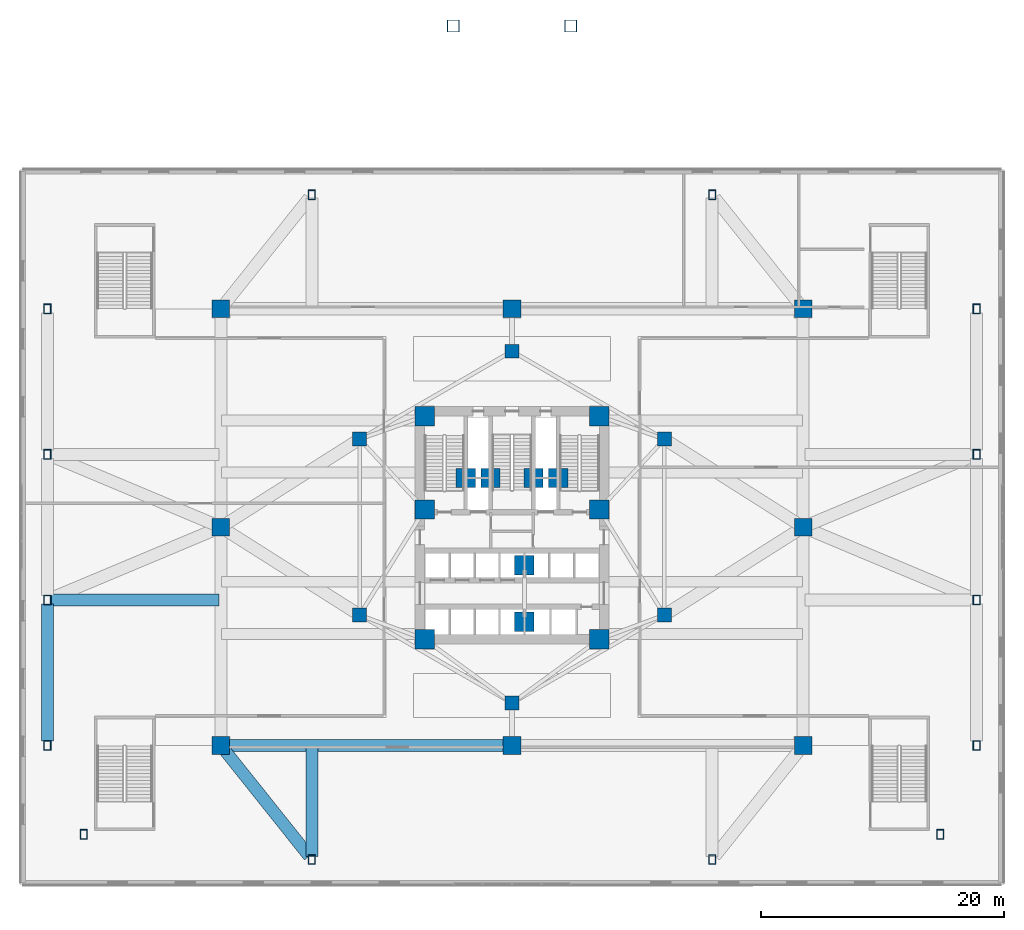
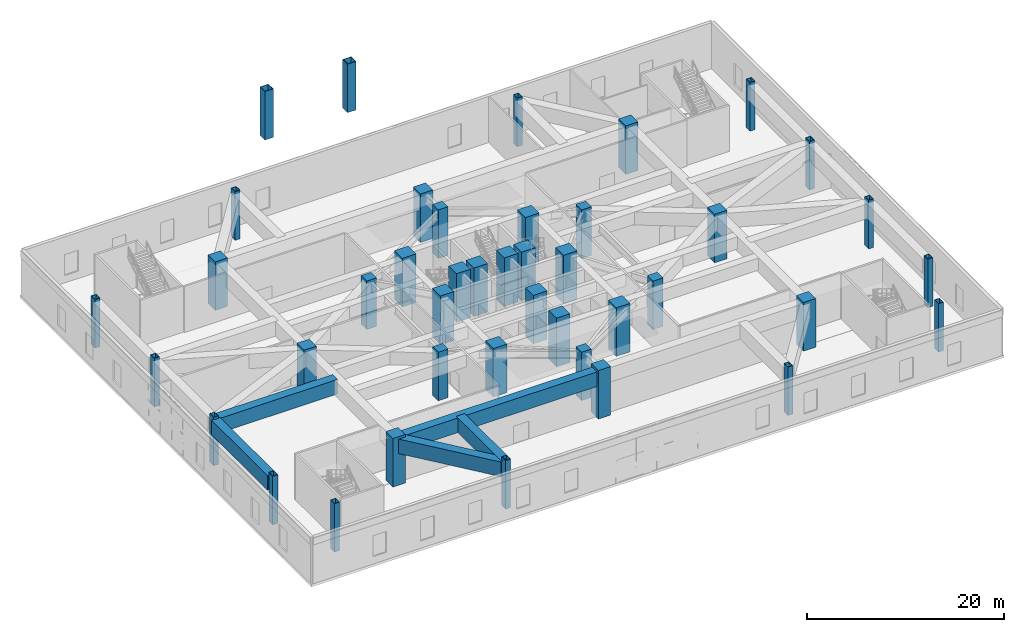
# One storey, part 1 of 24: 42 columns, 5 beams.
"""IFC4 building model written with IfcOpenShell, lengths in metres."""

from ifc_helpers import new_model, si_unit, direction, frame, origin, origin_2d, place, context, subcontext, project, spatial, rectangle, hollow_rectangle, extrude, material, material_profile, profile_set, type_object, element, save


model = new_model("IFC4")

# Units and contexts
model_context = context("Model", 3, precision=1e-05, world=origin(), true_north=direction((0.0, 1.0)))
body_context = subcontext(model_context, "Body", "Model", "MODEL_VIEW")
ifc_project = project(units=[si_unit("LENGTHUNIT", "METRE"), si_unit("AREAUNIT", "SQUARE_METRE"), si_unit("VOLUMEUNIT", "CUBIC_METRE"), si_unit("PLANEANGLEUNIT", "RADIAN"), si_unit("MASSUNIT", "GRAM", prefix="KILO")], contexts=[model_context])

# Site, building, storey
site_placement = place(None, origin())
site = spatial("IfcSite", under=ifc_project, at=site_placement, CompositionType="ELEMENT")
building_placement = place(site_placement, origin())
building = spatial("IfcBuilding", under=site, at=building_placement, Name="Apsidion Concourse Tower", CompositionType="ELEMENT")
storey_placement = place(building_placement, frame((0.0, 0.0, 17.5)))
storey = spatial("IfcBuildingStorey", under=building, at=storey_placement, Name="L03", CompositionType="ELEMENT", Elevation=17.5)

# Columns
ifc_material_1 = material(Name="Structural steel ASTM A572 Grade 50", Category="steel")
ifc_material_profile_1 = material_profile(ifc_material_1, hollow_rectangle(XDim=1.0, YDim=1.0, WallThickness=0.06005859375, at=origin_2d()), Name="BOX1000X1000X60")
ifc_profile_set_1 = profile_set([ifc_material_profile_1], Name="Structural steel ASTM A572 Grade 50")
column_type_1 = type_object("IfcColumnType", Name="COL-BOX-1000", PredefinedType="COLUMN", material=ifc_profile_set_1)
for number, where, z_axis, x_axis, name in (
    (1, (-4.845703125, 41.306884765625, 0.0), (0.0, 0.0, 1.0), (1.0, 0.0, 0.0), "L03 North Forecourt Prow Colonnade Column PRW-W"),
    (2, (4.845703125, 41.306884765625, 0.0), (0.0, 0.0, 1.0), (1.0, 0.0, 0.0), "L03 North Forecourt Prow Colonnade Column PRW-E"),
):
    element("IfcColumn", number, at=place(storey_placement, frame(where, z_axis=z_axis, x_axis=x_axis)), inside=storey, type_object=column_type_1, Name=name, PredefinedType="COLUMN", context=body_context, shape_type="SweptSolid", body=[
        extrude(hollow_rectangle(XDim=1.0, YDim=1.0, WallThickness=0.06005859375, at=origin_2d()), origin(), (0.0, 0.0, 1.0), 6.0),
    ])
ifc_material_profile_2 = material_profile(ifc_material_1, hollow_rectangle(XDim=0.60009765625, YDim=0.800048828125, WallThickness=0.050048828125, at=origin_2d()), Name="BOX800X600X50")
ifc_profile_set_2 = profile_set([ifc_material_profile_2], Name="Structural steel ASTM A572 Grade 50")
column_type_2 = type_object("IfcColumnType", Name="COL-BOX-800", PredefinedType="COLUMN", material=ifc_profile_set_2)
for number, where, z_axis, x_axis, name in (
    (3, (-38.300048828125, -18.0, 0.0), (0.0, 0.0, 1.0), (1.0, 0.0, 0.0), "L03 Podium Perimeter Column PC01"),
    (4, (-38.300048828125, -6.0, 0.0), (0.0, 0.0, 1.0), (1.0, 0.0, 0.0), "L03 Podium Perimeter Column PC02"),
    (5, (-38.300048828125, 6.0, 0.0), (0.0, 0.0, 1.0), (1.0, 0.0, 0.0), "L03 Podium Perimeter Column PC03"),
    (6, (-38.300048828125, 18.0, 0.0), (0.0, 0.0, 1.0), (1.0, 0.0, 0.0), "L03 Podium Perimeter Column PC04"),
    (7, (38.300048828125, -18.0, 0.0), (0.0, 0.0, 1.0), (1.0, 0.0, 0.0), "L03 Podium Perimeter Column PC05"),
    (8, (38.300048828125, -6.0, 0.0), (0.0, 0.0, 1.0), (1.0, 0.0, 0.0), "L03 Podium Perimeter Column PC06"),
    (9, (38.300048828125, 6.0, 0.0), (0.0, 0.0, 1.0), (1.0, 0.0, 0.0), "L03 Podium Perimeter Column PC07"),
    (10, (38.300048828125, 18.0, 0.0), (0.0, 0.0, 1.0), (1.0, 0.0, 0.0), "L03 Podium Perimeter Column PC08"),
    (11, (-16.5, -27.39990234375, 0.0), (0.0, 0.0, 1.0), (1.0, 0.0, 0.0), "L03 Podium Perimeter Column PC09"),
    (12, (16.5, -27.39990234375, 0.0), (0.0, 0.0, 1.0), (1.0, 0.0, 0.0), "L03 Podium Perimeter Column PC10"),
    (13, (-16.5, 27.39990234375, 0.0), (0.0, 0.0, 1.0), (1.0, 0.0, 0.0), "L03 Podium Perimeter Column PC11"),
    (14, (16.5, 27.39990234375, 0.0), (0.0, 0.0, 1.0), (1.0, 0.0, 0.0), "L03 Podium Perimeter Column PC12"),
    (15, (-35.300048828125, -25.320068359375, 0.0), (0.0, 0.0, 1.0), (1.0, 0.0, 0.0), "L03 Podium South Corner Column SWCR-W"),
    (16, (35.300048828125, -25.320068359375, 0.0), (0.0, 0.0, 1.0), (1.0, 0.0, 0.0), "L03 Podium South Corner Column SWCR-E"),
):
    element("IfcColumn", number, at=place(storey_placement, frame(where, z_axis=z_axis, x_axis=x_axis)), inside=storey, type_object=column_type_2, Name=name, PredefinedType="COLUMN", context=body_context, shape_type="SweptSolid", body=[
        extrude(hollow_rectangle(XDim=0.60009765625, YDim=0.800048828125, WallThickness=0.050048828125, at=origin_2d()), origin(), (0.0, 0.0, 1.0), 6.0),
    ])
ifc_material_2 = material(Name="Concrete C50/60", Category="concrete")
ifc_material_profile_3 = material_profile(ifc_material_2, rectangle(XDim=1.14990234375, YDim=1.14990234375, at=origin_2d()), Name="RC 1150x1150")
ifc_profile_set_3 = profile_set([ifc_material_profile_3], Name="Concrete C50/60")
column_type_3 = type_object("IfcColumnType", Name="COL-RC-1150", PredefinedType="COLUMN", material=ifc_profile_set_3)
for number, where, z_axis, x_axis, name in (
    (17, (-12.56005859375, -7.25, 0.0), (0.0, 0.0, 1.0), (1.0, 0.0, 0.0), "L03 Interior Spine Column IC1"),
    (18, (12.56005859375, -7.25, 0.0), (0.0, 0.0, 1.0), (1.0, 0.0, 0.0), "L03 Interior Spine Column IC2"),
    (19, (12.56005859375, 7.25, 0.0), (0.0, 0.0, 1.0), (1.0, 0.0, 0.0), "L03 Interior Spine Column IC3"),
    (20, (0.0, 14.5, 0.0), (0.0, 0.0, 1.0), (1.0, 0.0, 0.0), "L03 Interior Spine Column IC4"),
    (21, (-12.56005859375, 7.25, 0.0), (0.0, 0.0, 1.0), (1.0, 0.0, 0.0), "L03 Interior Spine Column IC5"),
    (22, (0.0, -14.5, 0.0), (0.0, 0.0, 1.0), (1.0, 0.0, 0.0), "L03 Interior Spine Column IC6"),
):
    element("IfcColumn", number, at=place(storey_placement, frame(where, z_axis=z_axis, x_axis=x_axis)), inside=storey, type_object=column_type_3, Name=name, PredefinedType="COLUMN", context=body_context, shape_type="SweptSolid", body=[
        extrude(rectangle(XDim=1.14990234375, YDim=1.14990234375, at=origin_2d()), origin(), (0.0, 0.0, 1.0), 6.0),
    ])
ifc_material_3 = material(Name="Concrete C60/75", Category="concrete")
ifc_material_profile_4 = material_profile(ifc_material_3, rectangle(XDim=1.449951171875, YDim=1.449951171875, at=origin_2d()), Name="RC 1450x1450")
ifc_profile_set_4 = profile_set([ifc_material_profile_4], Name="Concrete C60/75")
column_type_4 = type_object("IfcColumnType", Name="COL-RC-1450", PredefinedType="COLUMN", material=ifc_profile_set_4)
for number, where, z_axis, x_axis, name in (
    (23, (-24.0, -18.0, 0.0), (0.0, 0.0, 1.0), (1.0, 0.0, 0.0), "L03 Podium Mega-Column MC1"),
    (24, (24.0, -18.0, 0.0), (0.0, 0.0, 1.0), (1.0, 0.0, 0.0), "L03 Podium Mega-Column MC2"),
    (25, (-24.0, 0.0, 0.0), (0.0, 0.0, 1.0), (1.0, 0.0, 0.0), "L03 Podium Mega-Column MC3"),
    (26, (24.0, 0.0, 0.0), (0.0, 0.0, 1.0), (1.0, 0.0, 0.0), "L03 Podium Mega-Column MC4"),
    (27, (-24.0, 18.0, 0.0), (0.0, 0.0, 1.0), (1.0, 0.0, 0.0), "L03 Podium Mega-Column MC5"),
    (28, (24.0, 18.0, 0.0), (0.0, 0.0, 1.0), (1.0, 0.0, 0.0), "L03 Podium Mega-Column MC6"),
    (29, (0.0, -18.0, 0.0), (0.0, 0.0, 1.0), (1.0, 0.0, 0.0), "L03 Podium Mega-Column MC7"),
    (30, (0.0, 18.0, 0.0), (0.0, 0.0, 1.0), (1.0, 0.0, 0.0), "L03 Podium Mega-Column MC8"),
):
    element("IfcColumn", number, at=place(storey_placement, frame(where, z_axis=z_axis, x_axis=x_axis)), inside=storey, type_object=column_type_4, Name=name, PredefinedType="COLUMN", context=body_context, shape_type="SweptSolid", body=[
        extrude(rectangle(XDim=1.449951171875, YDim=1.449951171875, at=origin_2d()), origin(), (0.0, 0.0, 1.0), 6.0),
    ])
ifc_material_profile_5 = material_profile(ifc_material_3, rectangle(XDim=1.60009765625, YDim=1.60009765625, at=origin_2d()), Name="RC 1600x1600")
ifc_profile_set_5 = profile_set([ifc_material_profile_5], Name="Concrete C60/75")
column_type_5 = type_object("IfcColumnType", Name="COL-RC-1600", PredefinedType="COLUMN", material=ifc_profile_set_5)
for number, where, z_axis, x_axis, name in (
    (31, (-7.199951171875, -9.25, 0.0), (0.0, 0.0, 1.0), (1.0, 0.0, 0.0), "L03 Core Super-Column SC1"),
    (32, (7.199951171875, -9.25, 0.0), (0.0, 0.0, 1.0), (1.0, 0.0, 0.0), "L03 Core Super-Column SC2"),
    (33, (7.199951171875, 1.449951171875, 0.0), (0.0, 0.0, 1.0), (1.0, 0.0, 0.0), "L03 Core Super-Column SC3"),
    (34, (7.199951171875, 9.14990234375, 0.0), (0.0, 0.0, 1.0), (1.0, 0.0, 0.0), "L03 Core Super-Column SC4"),
    (35, (-7.199951171875, 9.14990234375, 0.0), (0.0, 0.0, 1.0), (1.0, 0.0, 0.0), "L03 Core Super-Column SC5"),
    (36, (-7.199951171875, 1.449951171875, 0.0), (0.0, 0.0, 1.0), (1.0, 0.0, 0.0), "L03 Core Super-Column SC6"),
    (37, (-3.800048828125, 4.050048828125, 0.0), (0.0, 0.0, 1.0), (1.0, 0.0, 0.0), "L03 Core Super-Column CC1"),
    (38, (3.800048828125, 4.050048828125, 0.0), (0.0, 0.0, 1.0), (1.0, 0.0, 0.0), "L03 Core Super-Column CC2"),
    (39, (-1.77490234375, 4.050048828125, 0.0), (0.0, 0.0, 1.0), (1.0, 0.0, 0.0), "L03 Core Super-Column CC3"),
    (40, (1.77490234375, 4.050048828125, 0.0), (0.0, 0.0, 1.0), (1.0, 0.0, 0.0), "L03 Core Super-Column CC4"),
    (41, (1.02490234375, -3.14990234375, 0.0), (0.0, 0.0, 1.0), (1.0, 0.0, 0.0), "L03 Core Super-Column CC5"),
    (42, (1.02490234375, -7.800048828125, 0.0), (0.0, 0.0, 1.0), (1.0, 0.0, 0.0), "L03 Core Super-Column CC6"),
):
    element("IfcColumn", number, at=place(storey_placement, frame(where, z_axis=z_axis, x_axis=x_axis)), inside=storey, type_object=column_type_5, Name=name, PredefinedType="COLUMN", context=body_context, shape_type="SweptSolid", body=[
        extrude(rectangle(XDim=1.60009765625, YDim=1.60009765625, at=origin_2d()), origin(), (0.0, 0.0, 1.0), 6.0),
    ])

# Beams
ifc_material_profile_6 = material_profile(ifc_material_1, hollow_rectangle(XDim=1.0, YDim=1.800048828125, WallThickness=0.080078125, at=origin_2d()), Name="BOX1800X1000X80")
ifc_profile_set_6 = profile_set([ifc_material_profile_6], Name="Structural steel ASTM A572 Grade 50")
beam_type = type_object("IfcBeamType", Name="BM-TR-1800", PredefinedType="USERDEFINED", material=ifc_profile_set_6)
beam_1_placement = place(storey_placement, frame((-23.64990234375, -18.0, 4.800048828125), z_axis=(1.0, 0.0, 0.0), x_axis=(0.0, 1.0, 0.0)))
element("IfcBeam", 43, at=beam_1_placement, inside=storey, type_object=beam_type, Name="L03 Podium Transfer Collector Girder MC1-MC7", ObjectType="GIRDER", PredefinedType="USERDEFINED", context=body_context, shape_type="SweptSolid", body=[
    extrude(hollow_rectangle(XDim=1.0, YDim=1.800048828125, WallThickness=0.080078125, at=origin_2d()), origin(), (0.0, 0.0, 1.0), 23.2998046875),
])
beam_2_placement = place(storey_placement, frame((-38.050048828125, -6.0, 4.800048828125), z_axis=(1.0, 0.0, 0.0), x_axis=(0.0, 1.0, 0.0)))
element("IfcBeam", 44, at=beam_2_placement, inside=storey, type_object=beam_type, Name="L03 Podium Radial Frame Girder PC02", ObjectType="GIRDER", PredefinedType="USERDEFINED", context=body_context, shape_type="SweptSolid", body=[
    extrude(hollow_rectangle(XDim=1.0, YDim=1.800048828125, WallThickness=0.080078125, at=origin_2d()), origin(), (0.0, 0.0, 1.0), 13.900146484375),
])
beam_3_placement = place(storey_placement, frame((-16.5, -27.14990234375, 4.800048828125), z_axis=(0.0, 1.0, 0.0), x_axis=(-1.0, 0.0, 0.0)))
element("IfcBeam", 45, at=beam_3_placement, inside=storey, type_object=beam_type, Name="L03 Podium Radial Frame Girder PC09", ObjectType="GIRDER", PredefinedType="USERDEFINED", context=body_context, shape_type="SweptSolid", body=[
    extrude(hollow_rectangle(XDim=1.0, YDim=1.800048828125, WallThickness=0.080078125, at=origin_2d()), origin(), (0.0, 0.0, 1.0), 9.0),
])
beam_4_placement = place(storey_placement, frame((-16.71826171875, -27.12646484375, 4.800048828125), z_axis=(-0.623685030382, 0.781675753031, 0.0), x_axis=(-0.781675753031, -0.623685030382, 0.0)))
element("IfcBeam", 46, at=beam_4_placement, inside=storey, type_object=beam_type, Name="L03 Podium Diagonal Frame Tie PC09", ObjectType="GIRDER", PredefinedType="USERDEFINED", context=body_context, shape_type="SweptSolid", body=[
    extrude(hollow_rectangle(XDim=1.0, YDim=1.800048828125, WallThickness=0.080078125, at=origin_2d()), origin(), (0.0, 0.0, 1.0), 11.325439453125),
])
beam_5_placement = place(storey_placement, frame((-38.300048828125, -17.64990234375, 4.800048828125), z_axis=(0.0, 1.0, 0.0), x_axis=(-1.0, 0.0, 0.0)))
element("IfcBeam", 47, at=beam_5_placement, inside=storey, type_object=beam_type, Name="L03 Podium Spandrel Girder PC01-PC02", ObjectType="GIRDER", PredefinedType="USERDEFINED", context=body_context, shape_type="SweptSolid", body=[
    extrude(hollow_rectangle(XDim=1.0, YDim=1.800048828125, WallThickness=0.080078125, at=origin_2d()), origin(), (0.0, 0.0, 1.0), 11.2998046875),
])

save(model, "model.ifc")
